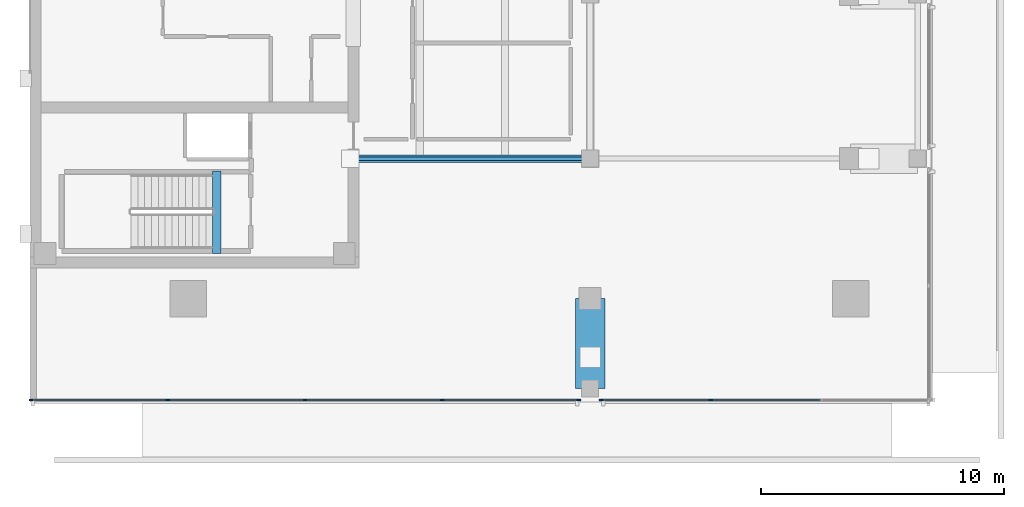
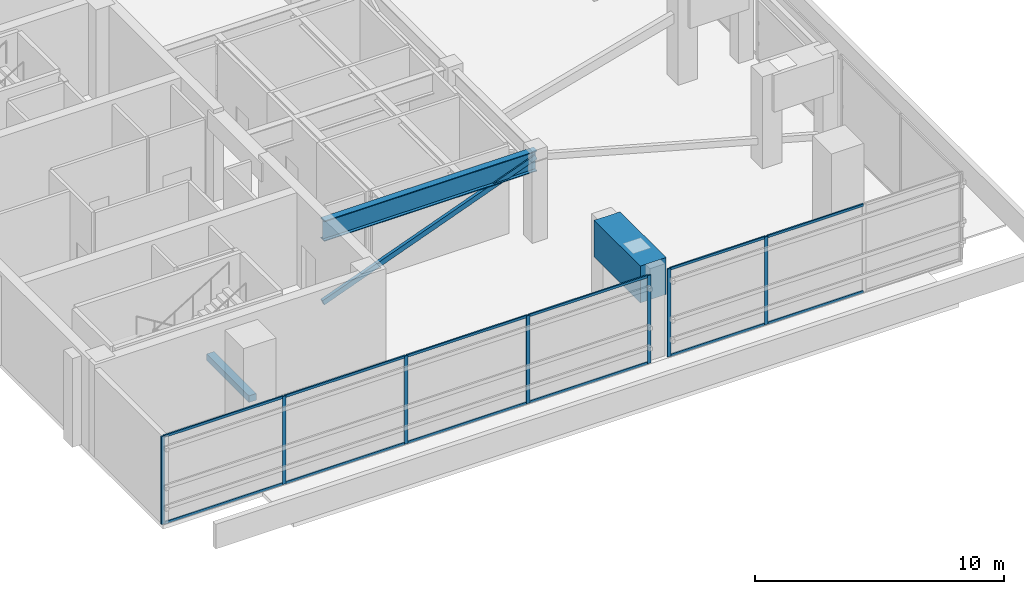
# One storey, part 2 of 13: 20 members, 3 beams, 2 elements without a shape of their own.
"""IFC4 building model written with IfcOpenShell, lengths in metres."""

from ifc_helpers import new_model, si_unit, direction, frame, origin, origin_2d, place, context, subcontext, project, spatial, rectangle, hollow_rectangle, i_section, extrude, material, layer, layer_set, material_profile, profile_set, type_object, element, aggregate, save


model = new_model("IFC4")

# Units and contexts
model_context = context("Model", 3, precision=1e-05, world=origin(), true_north=direction((0.0, 1.0)))
body_context = subcontext(model_context, "Body", "Model", "MODEL_VIEW")
ifc_project = project(units=[si_unit("LENGTHUNIT", "METRE"), si_unit("AREAUNIT", "SQUARE_METRE"), si_unit("VOLUMEUNIT", "CUBIC_METRE"), si_unit("PLANEANGLEUNIT", "RADIAN"), si_unit("MASSUNIT", "GRAM", prefix="KILO")], contexts=[model_context])

# Site, building, storey
site_placement = place(None, origin())
site = spatial("IfcSite", under=ifc_project, at=site_placement, CompositionType="ELEMENT")
building_placement = place(site_placement, origin())
building = spatial("IfcBuilding", under=site, at=building_placement, Name="Kinhvarn Gate Tower", CompositionType="ELEMENT")
storey_placement = place(building_placement, frame((0.0, 0.0, 303.050048828125)))
storey = spatial("IfcBuildingStorey", under=building, at=storey_placement, Name="L80", CompositionType="ELEMENT", Elevation=303.050048828125)

# Beams
ifc_material_1 = material(Name="Steel S355", Category="steel")
ifc_material_profile_1 = material_profile(ifc_material_1, i_section(OverallWidth=0.300048828125, OverallDepth=1.0, WebThickness=0.01904296875, FlangeThickness=0.035888671875, at=origin_2d()), Name="HEB 1000")
ifc_profile_set_1 = profile_set([ifc_material_profile_1], Name="Steel S355")
beam_type_1 = type_object("IfcBeamType", Name="BM-HEB1000", PredefinedType="BEAM", material=ifc_profile_set_1)
beam_1_placement = place(storey_placement, frame((17.64990234375, 18.5, 3.800048828125), z_axis=(1.0, 0.0, 0.0), x_axis=(0.0, 1.0, 0.0)))
element("IfcBeam", 1, at=beam_1_placement, inside=storey, type_object=beam_type_1, Name="Floor Beam HG-21 (L80 CR-EW1-18)", PredefinedType="BEAM", context=body_context, shape_type="SweptSolid", body=[
    extrude(i_section(OverallWidth=0.300048828125, OverallDepth=1.0, WebThickness=0.01904296875, FlangeThickness=0.035888671875, at=origin_2d()), origin(), (0.0, 0.0, 1.0), 9.85009765625),
])
ifc_material_2 = material(Name="Concrete C50/60", Category="concrete")
ifc_material_profile_2 = material_profile(ifc_material_2, rectangle(XDim=0.340087890625, YDim=0.320068359375, at=origin_2d()), Name="RC 340x320")
ifc_profile_set_2 = profile_set([ifc_material_profile_2], Name="Concrete C50/60")
beam_type_2 = type_object("IfcBeamType", Name="BM-LND-500", PredefinedType="BEAM", material=ifc_profile_set_2)
beam_2_placement = place(storey_placement, frame((12.1650390625, 14.60009765625, -0.16015625), z_axis=(0.0, 1.0, 0.0), x_axis=(-1.0, 0.0, 0.0)))
element("IfcBeam", 2, at=beam_2_placement, inside=storey, type_object=beam_type_2, Name="Stair ST1 Landing Nosing Beam (L80)", PredefinedType="BEAM", context=body_context, shape_type="SweptSolid", body=[
    extrude(rectangle(XDim=0.340087890625, YDim=0.320068359375, at=origin_2d()), origin(), (0.0, 0.0, 1.0), 3.39990234375),
])
ifc_material_profile_3 = material_profile(ifc_material_2, rectangle(XDim=1.199951171875, YDim=1.800048828125, at=origin_2d()), Name="RC 1200x1800")
ifc_profile_set_3 = profile_set([ifc_material_profile_3], Name="Concrete C50/60")
beam_type_3 = type_object("IfcBeamType", Name="BM-TG-1800", PredefinedType="BEAM", material=ifc_profile_set_3)
beam_3_placement = place(storey_placement, frame((27.5, 9.050048828125, 3.599853515625), z_axis=(0.0, 1.0, 0.0), x_axis=(-1.0, 0.0, 0.0)))
element("IfcBeam", 3, at=beam_3_placement, inside=storey, type_object=beam_type_3, Name="Setback Transfer Girder TG-03-L81-CCR-S1", PredefinedType="BEAM", context=body_context, shape_type="SweptSolid", body=[
    extrude(rectangle(XDim=1.199951171875, YDim=1.800048828125, at=origin_2d()), origin(), (0.0, 0.0, 1.0), 3.699951171875),
])

# Curtain wall, members
ifc_material_3 = material(Name="Anodised aluminium AW-6063", Category="aluminium")
ifc_layer = layer(ifc_material_3, 0.199951171875)
ifc_layer_set = layer_set([ifc_layer], Name="Anodised aluminium AW-6063")
curtain_wall_type = type_object("IfcCurtainWallType", Name="CW-SYS-6", PredefinedType="NOTDEFINED", material=ifc_layer_set)
curtain_wall_1_placement = place(storey_placement, origin())
curtain_wall_1 = element("IfcCurtainWall", 4, at=curtain_wall_1_placement, inside=storey, type_object=curtain_wall_type, Name="Curtain Wall CW6 (L80)", PredefinedType="NOTDEFINED")
ifc_material_profile_4 = material_profile(ifc_material_3, rectangle(XDim=0.06494140625, YDim=0.159912109375, at=origin_2d()), Name="ALU 65x160")
ifc_profile_set_4 = profile_set([ifc_material_profile_4], Name="Anodised aluminium AW-6063")
member_type_1 = type_object("IfcMemberType", Name="CW-MUL-160", PredefinedType="MULLION", material=ifc_profile_set_4)
member_1_placement = place(storey_placement, frame((4.532470703125, 8.590087890625, 0.0), z_axis=(0.0, 0.0, 1.0), x_axis=(0.0, 1.0, 0.0)))
member_1 = element("IfcMember", 5, at=member_1_placement, type_object=member_type_1, Name="CW6 mullion 1", PredefinedType="MULLION", context=body_context, shape_type="SweptSolid", body=[
    extrude(rectangle(XDim=0.06494140625, YDim=0.159912109375, at=origin_2d()), origin(), (0.0, 0.0, 1.0), 4.300048828125),
])
member_2_placement = place(storey_placement, frame((10.142578125, 8.590087890625, 0.0), z_axis=(0.0, 0.0, 1.0), x_axis=(0.0, 1.0, 0.0)))
member_2 = element("IfcMember", 6, at=member_2_placement, type_object=member_type_1, Name="CW6 mullion 2", PredefinedType="MULLION", context=body_context, shape_type="SweptSolid", body=[
    extrude(rectangle(XDim=0.06494140625, YDim=0.159912109375, at=origin_2d()), origin(), (0.0, 0.0, 1.0), 4.300048828125),
])
member_3_placement = place(storey_placement, frame((15.784912109375, 8.590087890625, 0.0), z_axis=(0.0, 0.0, 1.0), x_axis=(0.0, 1.0, 0.0)))
member_3 = element("IfcMember", 7, at=member_3_placement, type_object=member_type_1, Name="CW6 mullion 3", PredefinedType="MULLION", context=body_context, shape_type="SweptSolid", body=[
    extrude(rectangle(XDim=0.06494140625, YDim=0.159912109375, at=origin_2d()), origin(), (0.0, 0.0, 1.0), 4.300048828125),
])
member_4_placement = place(storey_placement, frame((21.427490234375, 8.590087890625, 0.0), z_axis=(0.0, 0.0, 1.0), x_axis=(0.0, 1.0, 0.0)))
member_4 = element("IfcMember", 8, at=member_4_placement, type_object=member_type_1, Name="CW6 mullion 4", PredefinedType="MULLION", context=body_context, shape_type="SweptSolid", body=[
    extrude(rectangle(XDim=0.06494140625, YDim=0.159912109375, at=origin_2d()), origin(), (0.0, 0.0, 1.0), 4.300048828125),
])
member_5_placement = place(storey_placement, frame((27.03759765625, 8.590087890625, 0.0), z_axis=(0.0, 0.0, 1.0), x_axis=(0.0, 1.0, 0.0)))
member_5 = element("IfcMember", 9, at=member_5_placement, type_object=member_type_1, Name="CW6 mullion 5", PredefinedType="MULLION", context=body_context, shape_type="SweptSolid", body=[
    extrude(rectangle(XDim=0.06494140625, YDim=0.159912109375, at=origin_2d()), origin(), (0.0, 0.0, 1.0), 4.300048828125),
])

curtain_wall_2_placement = place(storey_placement, origin())
curtain_wall_2 = element("IfcCurtainWall", 10, at=curtain_wall_2_placement, inside=storey, type_object=curtain_wall_type, Name="Curtain Wall CW6 (L80)", PredefinedType="NOTDEFINED")
member_6_placement = place(storey_placement, frame((27.96240234375, 8.590087890625, 0.0), z_axis=(0.0, 0.0, 1.0), x_axis=(0.0, 1.0, 0.0)))
member_6 = element("IfcMember", 11, at=member_6_placement, type_object=member_type_1, Name="CW6 mullion 1", PredefinedType="MULLION", context=body_context, shape_type="SweptSolid", body=[
    extrude(rectangle(XDim=0.06494140625, YDim=0.159912109375, at=origin_2d()), origin(), (0.0, 0.0, 1.0), 4.300048828125),
])
member_7_placement = place(storey_placement, frame((32.453369140625, 8.590087890625, 0.0), z_axis=(0.0, 0.0, 1.0), x_axis=(0.0, 1.0, 0.0)))
member_7 = element("IfcMember", 12, at=member_7_placement, type_object=member_type_1, Name="CW6 mullion 2", PredefinedType="MULLION", context=body_context, shape_type="SweptSolid", body=[
    extrude(rectangle(XDim=0.06494140625, YDim=0.159912109375, at=origin_2d()), origin(), (0.0, 0.0, 1.0), 4.300048828125),
])

# Member
ifc_material_profile_5 = material_profile(ifc_material_3, rectangle(XDim=0.06494140625, YDim=0.1201171875, at=origin_2d()), Name="ALU 65x120")
ifc_profile_set_5 = profile_set([ifc_material_profile_5], Name="Anodised aluminium AW-6063")
member_type_2 = type_object("IfcMemberType", Name="CW-TRN-120", PredefinedType="USERDEFINED", material=ifc_profile_set_5)
member_8_placement = place(storey_placement, frame((4.56494140625, 8.590087890625, 0.032470703125), z_axis=(1.0, 0.0, 0.0), x_axis=(0.0, 1.0, 0.0)))
member_8 = element("IfcMember", 13, at=member_8_placement, type_object=member_type_2, Name="CW6 transom 1.1", ObjectType="TRANSOM", PredefinedType="USERDEFINED", context=body_context, shape_type="SweptSolid", body=[
    extrude(rectangle(XDim=0.06494140625, YDim=0.1201171875, at=origin_2d()), origin(), (0.0, 0.0, 1.0), 5.545166015625),
])

member_9_placement = place(storey_placement, frame((4.56494140625, 8.590087890625, 4.267333984375), z_axis=(1.0, 0.0, 0.0), x_axis=(0.0, 1.0, 0.0)))
member_9 = element("IfcMember", 14, at=member_9_placement, type_object=member_type_2, Name="CW6 transom 1.2", ObjectType="TRANSOM", PredefinedType="USERDEFINED", context=body_context, shape_type="SweptSolid", body=[
    extrude(rectangle(XDim=0.06494140625, YDim=0.1201171875, at=origin_2d()), origin(), (0.0, 0.0, 1.0), 5.545166015625),
])

member_10_placement = place(storey_placement, frame((10.175048828125, 8.590087890625, 0.032470703125), z_axis=(1.0, 0.0, 0.0), x_axis=(0.0, 1.0, 0.0)))
member_10 = element("IfcMember", 15, at=member_10_placement, type_object=member_type_2, Name="CW6 transom 2.1", ObjectType="TRANSOM", PredefinedType="USERDEFINED", context=body_context, shape_type="SweptSolid", body=[
    extrude(rectangle(XDim=0.06494140625, YDim=0.1201171875, at=origin_2d()), origin(), (0.0, 0.0, 1.0), 5.577392578125),
])

member_11_placement = place(storey_placement, frame((10.175048828125, 8.590087890625, 4.267333984375), z_axis=(1.0, 0.0, 0.0), x_axis=(0.0, 1.0, 0.0)))
member_11 = element("IfcMember", 16, at=member_11_placement, type_object=member_type_2, Name="CW6 transom 2.2", ObjectType="TRANSOM", PredefinedType="USERDEFINED", context=body_context, shape_type="SweptSolid", body=[
    extrude(rectangle(XDim=0.06494140625, YDim=0.1201171875, at=origin_2d()), origin(), (0.0, 0.0, 1.0), 5.577392578125),
])

member_12_placement = place(storey_placement, frame((15.8173828125, 8.590087890625, 0.032470703125), z_axis=(1.0, 0.0, 0.0), x_axis=(0.0, 1.0, 0.0)))
member_12 = element("IfcMember", 17, at=member_12_placement, type_object=member_type_2, Name="CW6 transom 3.1", ObjectType="TRANSOM", PredefinedType="USERDEFINED", context=body_context, shape_type="SweptSolid", body=[
    extrude(rectangle(XDim=0.06494140625, YDim=0.1201171875, at=origin_2d()), origin(), (0.0, 0.0, 1.0), 5.57763671875),
])

member_13_placement = place(storey_placement, frame((15.8173828125, 8.590087890625, 4.267333984375), z_axis=(1.0, 0.0, 0.0), x_axis=(0.0, 1.0, 0.0)))
member_13 = element("IfcMember", 18, at=member_13_placement, type_object=member_type_2, Name="CW6 transom 3.2", ObjectType="TRANSOM", PredefinedType="USERDEFINED", context=body_context, shape_type="SweptSolid", body=[
    extrude(rectangle(XDim=0.06494140625, YDim=0.1201171875, at=origin_2d()), origin(), (0.0, 0.0, 1.0), 5.57763671875),
])

member_14_placement = place(storey_placement, frame((21.4599609375, 8.590087890625, 0.032470703125), z_axis=(1.0, 0.0, 0.0), x_axis=(0.0, 1.0, 0.0)))
member_14 = element("IfcMember", 19, at=member_14_placement, type_object=member_type_2, Name="CW6 transom 4.1", ObjectType="TRANSOM", PredefinedType="USERDEFINED", context=body_context, shape_type="SweptSolid", body=[
    extrude(rectangle(XDim=0.06494140625, YDim=0.1201171875, at=origin_2d()), origin(), (0.0, 0.0, 1.0), 5.544921875),
])

member_15_placement = place(storey_placement, frame((21.4599609375, 8.590087890625, 4.267333984375), z_axis=(1.0, 0.0, 0.0), x_axis=(0.0, 1.0, 0.0)))
member_15 = element("IfcMember", 20, at=member_15_placement, type_object=member_type_2, Name="CW6 transom 4.2", ObjectType="TRANSOM", PredefinedType="USERDEFINED", context=body_context, shape_type="SweptSolid", body=[
    extrude(rectangle(XDim=0.06494140625, YDim=0.1201171875, at=origin_2d()), origin(), (0.0, 0.0, 1.0), 5.544921875),
])

aggregate(curtain_wall_1, [member_1, member_2, member_3, member_4, member_5, member_8, member_9, member_10, member_11, member_12, member_13, member_14, member_15])

member_16_placement = place(storey_placement, frame((27.9951171875, 8.590087890625, 0.032470703125), z_axis=(1.0, 0.0, 0.0), x_axis=(0.0, 1.0, 0.0)))
member_16 = element("IfcMember", 21, at=member_16_placement, type_object=member_type_2, Name="CW6 transom 1.1", ObjectType="TRANSOM", PredefinedType="USERDEFINED", context=body_context, shape_type="SweptSolid", body=[
    extrude(rectangle(XDim=0.06494140625, YDim=0.1201171875, at=origin_2d()), origin(), (0.0, 0.0, 1.0), 4.42578125),
])

member_17_placement = place(storey_placement, frame((27.9951171875, 8.590087890625, 4.267333984375), z_axis=(1.0, 0.0, 0.0), x_axis=(0.0, 1.0, 0.0)))
member_17 = element("IfcMember", 22, at=member_17_placement, type_object=member_type_2, Name="CW6 transom 1.2", ObjectType="TRANSOM", PredefinedType="USERDEFINED", context=body_context, shape_type="SweptSolid", body=[
    extrude(rectangle(XDim=0.06494140625, YDim=0.1201171875, at=origin_2d()), origin(), (0.0, 0.0, 1.0), 4.42578125),
])

member_18_placement = place(storey_placement, frame((32.48583984375, 8.590087890625, 0.032470703125), z_axis=(1.0, 0.0, 0.0), x_axis=(0.0, 1.0, 0.0)))
member_18 = element("IfcMember", 23, at=member_18_placement, type_object=member_type_2, Name="CW6 transom 2.1", ObjectType="TRANSOM", PredefinedType="USERDEFINED", context=body_context, shape_type="SweptSolid", body=[
    extrude(rectangle(XDim=0.06494140625, YDim=0.1201171875, at=origin_2d()), origin(), (0.0, 0.0, 1.0), 4.458251953125),
])

member_19_placement = place(storey_placement, frame((32.48583984375, 8.590087890625, 4.267333984375), z_axis=(1.0, 0.0, 0.0), x_axis=(0.0, 1.0, 0.0)))
member_19 = element("IfcMember", 24, at=member_19_placement, type_object=member_type_2, Name="CW6 transom 2.2", ObjectType="TRANSOM", PredefinedType="USERDEFINED", context=body_context, shape_type="SweptSolid", body=[
    extrude(rectangle(XDim=0.06494140625, YDim=0.1201171875, at=origin_2d()), origin(), (0.0, 0.0, 1.0), 4.458251953125),
])

aggregate(curtain_wall_2, [member_6, member_7, member_16, member_17, member_18, member_19])

ifc_material_profile_6 = material_profile(ifc_material_1, hollow_rectangle(XDim=0.14990234375, YDim=0.25, WallThickness=0.011962890625, at=origin_2d()), Name="RHS 250x150x12")
ifc_profile_set_6 = profile_set([ifc_material_profile_6], Name="Steel S355")
member_type_3 = type_object("IfcMemberType", Name="MBR-RHS250x150x12", PredefinedType="BRACE", material=ifc_profile_set_6)
member_20_placement = place(storey_placement, frame((17.64990234375, 18.5, 0.25), z_axis=(0.936136422433, 0.0, 0.351637026768), x_axis=(0.0, 1.0, 0.0)))
element("IfcMember", 25, at=member_20_placement, inside=storey, type_object=member_type_3, Name="Crown Frame Strut BR-01 (RHS 250x150x12)", PredefinedType="BRACE", context=body_context, shape_type="SweptSolid", body=[
    extrude(hollow_rectangle(XDim=0.14990234375, YDim=0.25, WallThickness=0.011962890625, at=origin_2d()), origin(), (0.0, 0.0, 1.0), 10.52197265625),
])

save(model, "model.ifc")
